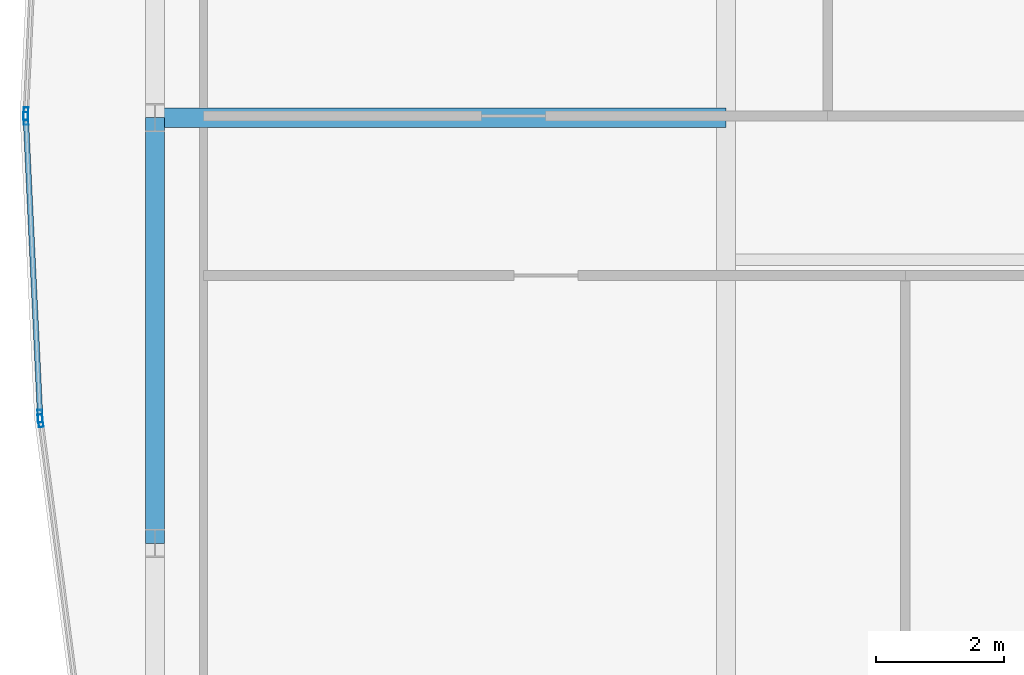
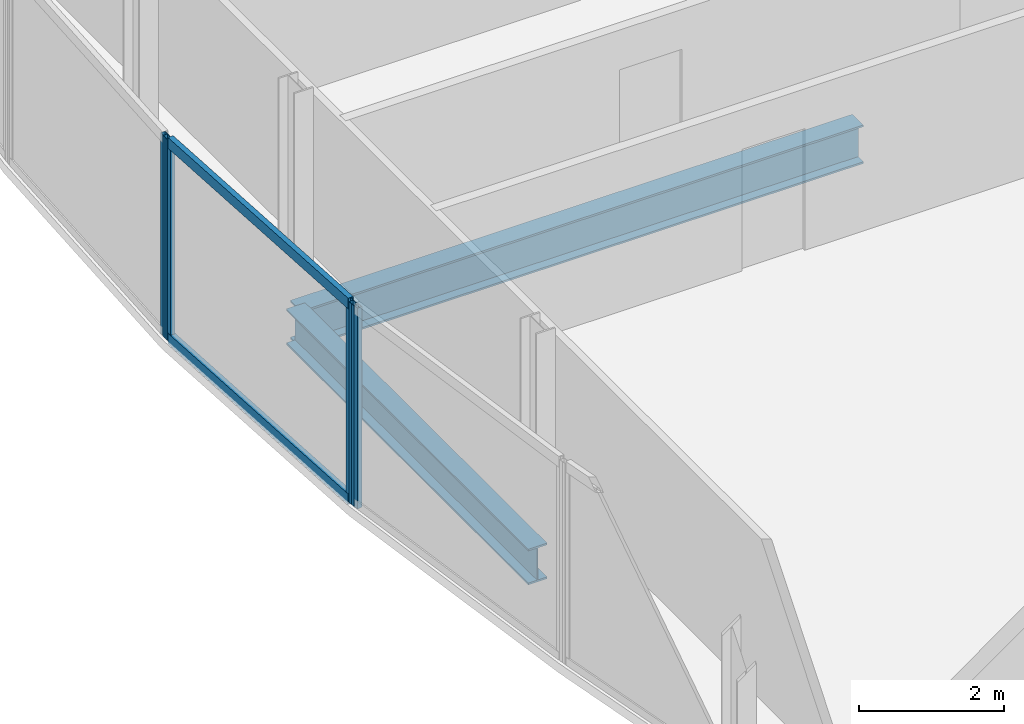
# One storey, part 10 of 30: 6 members, 2 beams, 3 elements without a shape of their own.
"""IFC4 building model written with IfcOpenShell, lengths in metres."""

from ifc_helpers import new_model, si_unit, direction, frame, origin, origin_2d, place, context, subcontext, project, spatial, hollow_rectangle, i_section, extrude, material, material_profile, profile_set, type_object, element, aggregate, save


model = new_model("IFC4")

# Units and contexts
model_context = context("Model", 3, precision=1e-05, world=origin(), true_north=direction((0.0, 1.0)))
body_context = subcontext(model_context, "Body", "Model", "MODEL_VIEW")
ifc_project = project(units=[si_unit("LENGTHUNIT", "METRE"), si_unit("AREAUNIT", "SQUARE_METRE"), si_unit("VOLUMEUNIT", "CUBIC_METRE"), si_unit("PLANEANGLEUNIT", "RADIAN"), si_unit("MASSUNIT", "GRAM", prefix="KILO")], contexts=[model_context])

# Site, building, storey
site_placement = place(None, origin())
site = spatial("IfcSite", under=ifc_project, at=site_placement, CompositionType="ELEMENT")
building_placement = place(site_placement, origin())
building = spatial("IfcBuilding", under=site, at=building_placement, Name="Khoronbel Lancet Exchange", CompositionType="ELEMENT")
storey_placement = place(building_placement, frame((0.0, 0.0, 253.39990234375)))
storey = spatial("IfcBuildingStorey", under=building, at=storey_placement, Name="L65", CompositionType="ELEMENT", Elevation=253.39990234375)

# Beams
ifc_material_1 = material(Name="Steel S355", Category="steel")
ifc_material_profile_1 = material_profile(ifc_material_1, i_section(OverallWidth=0.300048828125, OverallDepth=0.64990234375, WebThickness=0.01611328125, FlangeThickness=0.031005859375, at=origin_2d()), Name="HEB 650")
ifc_profile_set_1 = profile_set([ifc_material_profile_1], Name="Steel S355")
beam_type_1 = type_object("IfcBeamType", Name="BM-BG4", PredefinedType="BEAM", material=ifc_profile_set_1)
beam_1_placement = place(storey_placement, frame((9.27001953125, 31.425048828125, -0.48486328125), z_axis=(1.0, 0.0, 0.0), x_axis=(0.0, 1.0, 0.0)))
element("IfcBeam", 1, at=beam_1_placement, inside=storey, type_object=beam_type_1, Name="Level L65 west lens tie girder LG2W", PredefinedType="BEAM", context=body_context, shape_type="SweptSolid", body=[
    extrude(i_section(OverallWidth=0.300048828125, OverallDepth=0.64990234375, WebThickness=0.01611328125, FlangeThickness=0.031005859375, at=origin_2d()), origin(), (0.0, 0.0, 1.0), 8.955078125),
])
ifc_material_profile_2 = material_profile(ifc_material_1, i_section(OverallWidth=0.300048828125, OverallDepth=0.60009765625, WebThickness=0.015380859375, FlangeThickness=0.030029296875, at=origin_2d()), Name="HEB 600")
ifc_profile_set_2 = profile_set([ifc_material_profile_2], Name="Steel S355")
beam_type_2 = type_object("IfcBeamType", Name="BM-BSP2", PredefinedType="SPANDREL", material=ifc_profile_set_2)
beam_2_placement = place(storey_placement, frame((9.27001953125, 31.425048828125, -0.4599609375), z_axis=(0.0, -1.0, 0.0), x_axis=(1.0, 0.0, 0.0)))
element("IfcBeam", 2, at=beam_2_placement, inside=storey, type_object=beam_type_2, Name="Level L65 perimeter spandrel beam SP19", PredefinedType="SPANDREL", context=body_context, shape_type="SweptSolid", body=[
    extrude(i_section(OverallWidth=0.300048828125, OverallDepth=0.60009765625, WebThickness=0.015380859375, FlangeThickness=0.030029296875, at=origin_2d()), origin(), (0.0, 0.0, 1.0), 6.675048828125),
])

# Curtain wall, member
ifc_material_2 = material(Name="Low-E Solar Control Insulating Glass", Category="glass")
curtain_wall_type = type_object("IfcCurtainWallType", Name="CW-4", PredefinedType="NOTDEFINED", material=ifc_material_2)
curtain_wall_1_placement = place(storey_placement, origin())
curtain_wall_1 = element("IfcCurtainWall", 3, at=curtain_wall_1_placement, inside=storey, type_object=curtain_wall_type, Name="Unitised curtain wall CW-L65-E05", PredefinedType="NOTDEFINED")
ifc_material_3 = material(Name="Bronze-Anodised Aluminium 6063-T6", Category="aluminium")
ifc_material_profile_3 = material_profile(ifc_material_3, hollow_rectangle(XDim=0.074951171875, YDim=0.199951171875, WallThickness=0.0048828125, at=origin_2d()), Name="ALU MULLION 75x200")
ifc_profile_set_3 = profile_set([ifc_material_profile_3], Name="Bronze-Anodised Aluminium 6063-T6")
member_type_1 = type_object("IfcMemberType", Name="MEM-CWM2", PredefinedType="MULLION", material=ifc_profile_set_3)
member_1_placement = place(storey_placement, frame((7.475341796875, 26.6708984375, 0.0), z_axis=(0.0, 0.0, 1.0), x_axis=(-0.991560388751, -0.129645653456, 0.0)))
member_1 = element("IfcMember", 4, at=member_1_placement, type_object=member_type_1, Name="CW4 mullion 2", PredefinedType="MULLION", context=body_context, shape_type="SweptSolid", body=[
    extrude(hollow_rectangle(XDim=0.074951171875, YDim=0.199951171875, WallThickness=0.0048828125, at=origin_2d()), origin(), (0.0, 0.0, 1.0), 3.380126953125),
])
aggregate(curtain_wall_1, [member_1])

# Curtain wall, members
curtain_wall_2_placement = place(storey_placement, origin())
curtain_wall_2 = element("IfcCurtainWall", 5, at=curtain_wall_2_placement, inside=storey, type_object=curtain_wall_type, Name="Unitised curtain wall CW-L65-E06", PredefinedType="NOTDEFINED")
member_2_placement = place(storey_placement, frame((7.468505859375, 26.745361328125, 0.0), z_axis=(0.0, 0.0, 1.0), x_axis=(-0.998857198159, -0.047794326923, 0.0)))
member_2 = element("IfcMember", 6, at=member_2_placement, type_object=member_type_1, Name="CW4 mullion 1", PredefinedType="MULLION", context=body_context, shape_type="SweptSolid", body=[
    extrude(hollow_rectangle(XDim=0.074951171875, YDim=0.199951171875, WallThickness=0.0048828125, at=origin_2d()), origin(), (0.0, 0.0, 1.0), 3.380126953125),
])
member_3_placement = place(storey_placement, frame((7.245361328125, 31.41259765625, 0.0), z_axis=(0.0, 0.0, 1.0), x_axis=(-0.998857198159, -0.047794326923, 0.0)))
member_3 = element("IfcMember", 7, at=member_3_placement, type_object=member_type_1, Name="CW4 mullion 2", PredefinedType="MULLION", context=body_context, shape_type="SweptSolid", body=[
    extrude(hollow_rectangle(XDim=0.074951171875, YDim=0.199951171875, WallThickness=0.0048828125, at=origin_2d()), origin(), (0.0, 0.0, 1.0), 3.380126953125),
])

# Curtain wall, member
curtain_wall_3_placement = place(storey_placement, origin())
curtain_wall_3 = element("IfcCurtainWall", 8, at=curtain_wall_3_placement, inside=storey, type_object=curtain_wall_type, Name="Unitised curtain wall CW-L65-E07", PredefinedType="NOTDEFINED")
member_4_placement = place(storey_placement, frame((7.245361328125, 31.487548828125, 0.0), z_axis=(0.0, 0.0, 1.0), x_axis=(-0.998857198159, 0.047794326923, 0.0)))
member_4 = element("IfcMember", 9, at=member_4_placement, type_object=member_type_1, Name="CW4 mullion 1", PredefinedType="MULLION", context=body_context, shape_type="SweptSolid", body=[
    extrude(hollow_rectangle(XDim=0.074951171875, YDim=0.199951171875, WallThickness=0.0048828125, at=origin_2d()), origin(), (0.0, 0.0, 1.0), 3.380126953125),
])
aggregate(curtain_wall_3, [member_4])

# Member
ifc_material_profile_4 = material_profile(ifc_material_3, hollow_rectangle(XDim=0.0849609375, YDim=0.179931640625, WallThickness=0.0048828125, at=origin_2d()), Name="ALU TRANSOM 85x180")
ifc_profile_set_4 = profile_set([ifc_material_profile_4], Name="Bronze-Anodised Aluminium 6063-T6")
member_type_2 = type_object("IfcMemberType", Name="MEM-CWT1", PredefinedType="USERDEFINED", material=ifc_profile_set_4)
member_5_placement = place(storey_placement, frame((7.466796875, 26.782958984375, 0.04248046875), z_axis=(-0.047794750391, 0.998857177896, 0.0), x_axis=(-0.998857177896, -0.047794750391, 0.0)))
member_5 = element("IfcMember", 10, at=member_5_placement, type_object=member_type_2, Name="CW4 transom 1.1", ObjectType="TRANSOM", PredefinedType="USERDEFINED", context=body_context, shape_type="SweptSolid", body=[
    extrude(hollow_rectangle(XDim=0.0849609375, YDim=0.179931640625, WallThickness=0.0048828125, at=origin_2d()), origin(), (0.0, 0.0, 1.0), 4.597412109375),
])

member_6_placement = place(storey_placement, frame((7.466796875, 26.782958984375, 3.337646484375), z_axis=(-0.047794750391, 0.998857177896, 0.0), x_axis=(-0.998857177896, -0.047794750391, 0.0)))
member_6 = element("IfcMember", 11, at=member_6_placement, type_object=member_type_2, Name="CW4 transom 1.2", ObjectType="TRANSOM", PredefinedType="USERDEFINED", context=body_context, shape_type="SweptSolid", body=[
    extrude(hollow_rectangle(XDim=0.0849609375, YDim=0.179931640625, WallThickness=0.0048828125, at=origin_2d()), origin(), (0.0, 0.0, 1.0), 4.597412109375),
])

aggregate(curtain_wall_2, [member_2, member_3, member_5, member_6])

save(model, "model.ifc")
